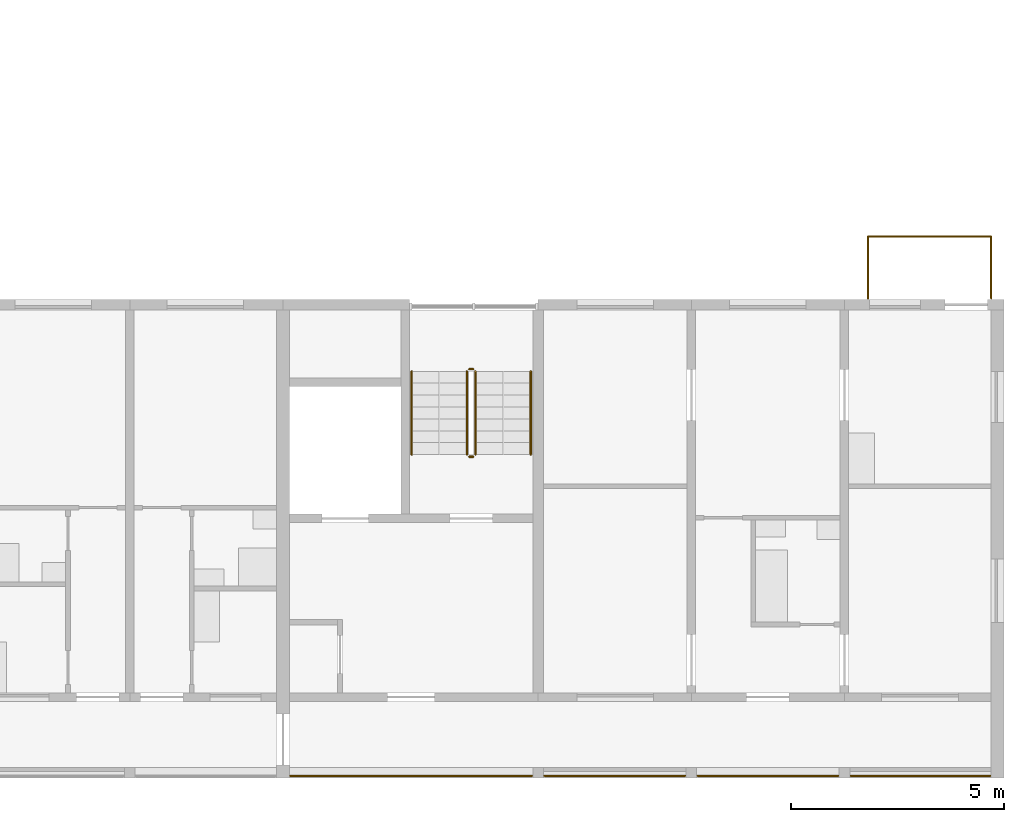
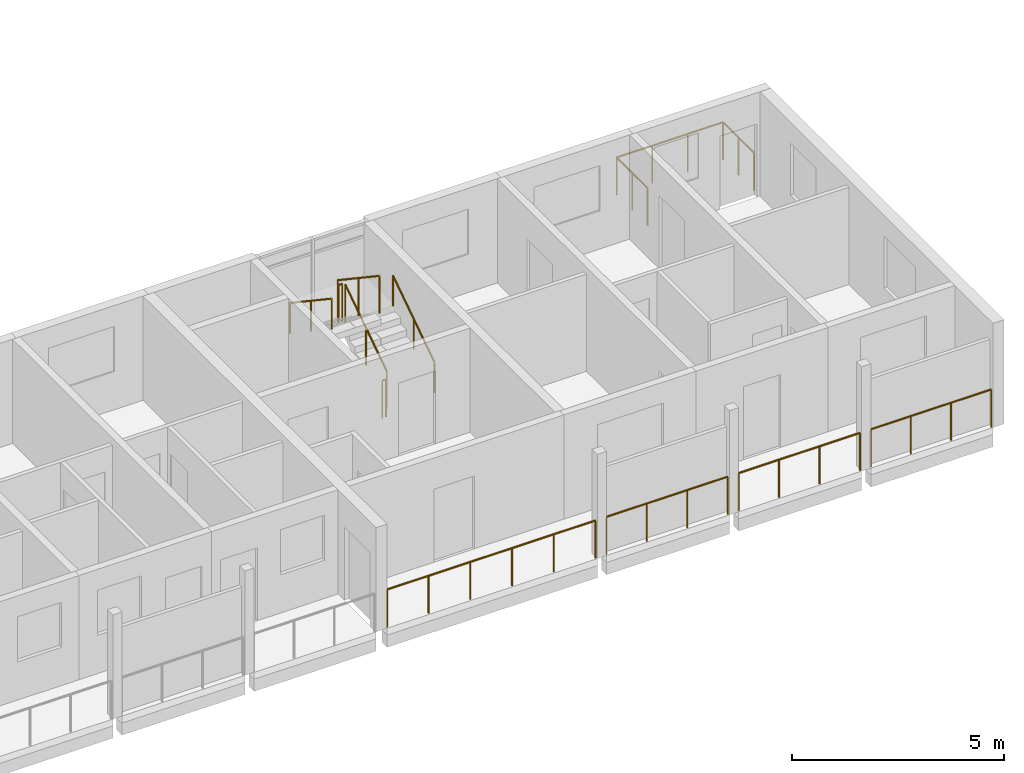
# One storey, part 88 of 94: 11 railings.
"""IFC4 building model written with IfcOpenShell, lengths in metres."""

from ifc_helpers import new_model, si_unit, direction, frame, origin, origin_2d, place, context, subcontext, project, spatial, circle, extrude, material, type_object, element, save


model = new_model("IFC4")

# Units and contexts
model_context = context("Model", 3, precision=1e-05, world=origin(), true_north=direction((0.0, 1.0)))
body_context = subcontext(model_context, "Body", "Model", "MODEL_VIEW")
ifc_project = project(units=[si_unit("LENGTHUNIT", "METRE"), si_unit("AREAUNIT", "SQUARE_METRE"), si_unit("VOLUMEUNIT", "CUBIC_METRE"), si_unit("PLANEANGLEUNIT", "RADIAN"), si_unit("MASSUNIT", "GRAM", prefix="KILO")], contexts=[model_context])

# Site, building, storey
site_placement = place(None, origin())
site = spatial("IfcSite", under=ifc_project, at=site_placement, CompositionType="ELEMENT")
building_placement = place(site_placement, origin())
building = spatial("IfcBuilding", under=site, at=building_placement, Name="Ridgestep Commons", CompositionType="ELEMENT")
storey_placement = place(building_placement, frame((0.0, 0.0, 21.0)))
storey = spatial("IfcBuildingStorey", under=building, at=storey_placement, Name="L07", CompositionType="ELEMENT", Elevation=21.0)

# Railings
ifc_material_1 = material(Name="Structural steel S355JR", Category="steel")
railing_type_1 = type_object("IfcRailingType", Name="Guard 1100", PredefinedType="GUARDRAIL", material=ifc_material_1)
railing_1_placement = place(storey_placement, frame((230.970947265625, 11.800048828125, 0.0)))
element("IfcRailing", 1, at=railing_1_placement, inside=storey, type_object=railing_type_1, Name="Gallery guard D 07.21", PredefinedType="GUARDRAIL", context=body_context, shape_type="SweptSolid", body=[
    extrude(circle(Radius=0.02392578125, at=origin_2d()), frame((0.0, 0.0, 1.076171875), z_axis=(1.0, 0.0, 0.0), x_axis=(0.0, 1.0, 0.0)), (0.0, 0.0, 1.0), 5.68310546875),
    extrude(circle(Radius=0.02099609375, at=origin_2d()), origin(), (0.0, 0.0, 1.0), 1.052001953125),
    extrude(circle(Radius=0.02099609375, at=origin_2d()), frame((1.13671875, 0.0, 0.0)), (0.0, 0.0, 1.0), 1.052001953125),
    extrude(circle(Radius=0.02099609375, at=origin_2d()), frame((2.273193359375, 0.0, 0.0)), (0.0, 0.0, 1.0), 1.052001953125),
    extrude(circle(Radius=0.02099609375, at=origin_2d()), frame((3.409912109375, 0.0, 0.0)), (0.0, 0.0, 1.0), 1.052001953125),
    extrude(circle(Radius=0.02099609375, at=origin_2d()), frame((4.54638671875, 0.0, 0.0)), (0.0, 0.0, 1.0), 1.052001953125),
    extrude(circle(Radius=0.02099609375, at=origin_2d()), frame((5.68310546875, 0.0, 0.0)), (0.0, 0.0, 1.0), 1.052001953125),
])
railing_2_placement = place(storey_placement, frame((236.946044921875, 11.800048828125, 0.0)))
element("IfcRailing", 2, at=railing_2_placement, inside=storey, type_object=railing_type_1, Name="Gallery guard D 07.22", PredefinedType="GUARDRAIL", context=body_context, shape_type="SweptSolid", body=[
    extrude(circle(Radius=0.02392578125, at=origin_2d()), frame((0.0, 0.0, 1.076171875), z_axis=(1.0, 0.0, 0.0), x_axis=(0.0, 1.0, 0.0)), (0.0, 0.0, 1.0), 3.307861328125),
    extrude(circle(Radius=0.02099609375, at=origin_2d()), origin(), (0.0, 0.0, 1.0), 1.052001953125),
    extrude(circle(Radius=0.02099609375, at=origin_2d()), frame((1.1025390625, 0.0, 0.0)), (0.0, 0.0, 1.0), 1.052001953125),
    extrude(circle(Radius=0.02099609375, at=origin_2d()), frame((2.205322265625, 0.0, 0.0)), (0.0, 0.0, 1.0), 1.052001953125),
    extrude(circle(Radius=0.02099609375, at=origin_2d()), frame((3.307861328125, 0.0, 0.0)), (0.0, 0.0, 1.0), 1.052001953125),
])
railing_3_placement = place(storey_placement, frame((240.5458984375, 11.800048828125, 0.0)))
element("IfcRailing", 3, at=railing_3_placement, inside=storey, type_object=railing_type_1, Name="Gallery guard D 07.23", PredefinedType="GUARDRAIL", context=body_context, shape_type="SweptSolid", body=[
    extrude(circle(Radius=0.02392578125, at=origin_2d()), frame((0.0, 0.0, 1.076171875), z_axis=(1.0, 0.0, 0.0), x_axis=(0.0, 1.0, 0.0)), (0.0, 0.0, 1.0), 3.30810546875),
    extrude(circle(Radius=0.02099609375, at=origin_2d()), origin(), (0.0, 0.0, 1.0), 1.052001953125),
    extrude(circle(Radius=0.02099609375, at=origin_2d()), frame((1.102783203125, 0.0, 0.0)), (0.0, 0.0, 1.0), 1.052001953125),
    extrude(circle(Radius=0.02099609375, at=origin_2d()), frame((2.205322265625, 0.0, 0.0)), (0.0, 0.0, 1.0), 1.052001953125),
    extrude(circle(Radius=0.02099609375, at=origin_2d()), frame((3.30810546875, 0.0, 0.0)), (0.0, 0.0, 1.0), 1.052001953125),
])
railing_4_placement = place(storey_placement, frame((244.14599609375, 11.800048828125, 0.0)))
element("IfcRailing", 4, at=railing_4_placement, inside=storey, type_object=railing_type_1, Name="Gallery guard D 07.24", PredefinedType="GUARDRAIL", context=body_context, shape_type="SweptSolid", body=[
    extrude(circle(Radius=0.02392578125, at=origin_2d()), frame((0.0, 0.0, 1.076171875), z_axis=(1.0, 0.0, 0.0), x_axis=(0.0, 1.0, 0.0)), (0.0, 0.0, 1.0), 3.282958984375),
    extrude(circle(Radius=0.02099609375, at=origin_2d()), origin(), (0.0, 0.0, 1.0), 1.052001953125),
    extrude(circle(Radius=0.02099609375, at=origin_2d()), frame((1.09423828125, 0.0, 0.0)), (0.0, 0.0, 1.0), 1.052001953125),
    extrude(circle(Radius=0.02099609375, at=origin_2d()), frame((2.188720703125, 0.0, 0.0)), (0.0, 0.0, 1.0), 1.052001953125),
    extrude(circle(Radius=0.02099609375, at=origin_2d()), frame((3.282958984375, 0.0, 0.0)), (0.0, 0.0, 1.0), 1.052001953125),
])
ifc_material_2 = material(Name="Structural steel S355JR", Category="steel")
railing_type_2 = type_object("IfcRailingType", Name="Stair guard 1100", PredefinedType="GUARDRAIL", material=ifc_material_2)
railing_5_placement = place(storey_placement, frame((235.324951171875, 19.35009765625, 0.1875)))
element("IfcRailing", 5, at=railing_5_placement, inside=storey, type_object=railing_type_2, Name="L07 D6C stair guard 1", PredefinedType="GUARDRAIL", context=body_context, shape_type="SweptSolid", body=[
    extrude(circle(Radius=0.02392578125, at=origin_2d()), frame((0.0, 0.0, 1.076171875), z_axis=(0.0, 0.830902050051, 0.556418712142), x_axis=(-1.0, 0.0, 0.0)), (0.0, 0.0, 1.0), 2.35888671875),
    extrude(circle(Radius=0.02099609375, at=origin_2d()), origin(), (0.0, 0.0, 1.0), 1.052001953125),
    extrude(circle(Radius=0.02099609375, at=origin_2d()), frame((0.0, 0.97998046875, 0.65625)), (0.0, 0.0, 1.0), 1.052001953125),
    extrude(circle(Radius=0.02099609375, at=origin_2d()), frame((0.0, 1.9599609375, 1.3125)), (0.0, 0.0, 1.0), 1.052001953125),
])
railing_6_placement = place(storey_placement, frame((235.27490234375, 21.360107421875, 1.5)))
element("IfcRailing", 6, at=railing_6_placement, inside=storey, type_object=railing_type_2, Name="L07 D6C stair guard 2", PredefinedType="GUARDRAIL", context=body_context, shape_type="SweptSolid", body=[
    extrude(circle(Radius=0.02392578125, at=origin_2d()), frame((0.0, 0.0, 1.076171875), z_axis=(-1.0, 0.0, 0.0), x_axis=(0.0, -1.0, 0.0)), (0.0, 0.0, 1.0), 0.099853515625),
    extrude(circle(Radius=0.02099609375, at=origin_2d()), origin(), (0.0, 0.0, 1.0), 1.052001953125),
    extrude(circle(Radius=0.02099609375, at=origin_2d()), frame((-0.099853515625, 0.0, 0.0)), (0.0, 0.0, 1.0), 1.052001953125),
])
railing_7_placement = place(storey_placement, frame((235.125, 21.31005859375, 1.6875)))
element("IfcRailing", 7, at=railing_7_placement, inside=storey, type_object=railing_type_2, Name="L07 D6C stair guard 3", PredefinedType="GUARDRAIL", context=body_context, shape_type="SweptSolid", body=[
    extrude(circle(Radius=0.02392578125, at=origin_2d()), frame((0.0, 0.0, 1.076171875), z_axis=(0.0, -0.830902050051, 0.556418712142), x_axis=(1.0, 0.0, 0.0)), (0.0, 0.0, 1.0), 2.35888671875),
    extrude(circle(Radius=0.02099609375, at=origin_2d()), origin(), (0.0, 0.0, 1.0), 1.052001953125),
    extrude(circle(Radius=0.02099609375, at=origin_2d()), frame((0.0, -0.97998046875, 0.65625)), (0.0, 0.0, 1.0), 1.052001953125),
    extrude(circle(Radius=0.02099609375, at=origin_2d()), frame((0.0, -1.9599609375, 1.3125)), (0.0, 0.0, 1.0), 1.052001953125),
])
railing_8_placement = place(storey_placement, frame((235.27490234375, 19.300048828125, 0.0)))
element("IfcRailing", 8, at=railing_8_placement, inside=storey, type_object=railing_type_2, Name="L07 D6C stair guard 4", PredefinedType="GUARDRAIL", context=body_context, shape_type="SweptSolid", body=[
    extrude(circle(Radius=0.02392578125, at=origin_2d()), frame((0.0, 0.0, 1.076171875), z_axis=(-1.0, 0.0, 0.0), x_axis=(0.0, -1.0, 0.0)), (0.0, 0.0, 1.0), 0.099853515625),
    extrude(circle(Radius=0.02099609375, at=origin_2d()), origin(), (0.0, 0.0, 1.0), 1.052001953125),
    extrude(circle(Radius=0.02099609375, at=origin_2d()), frame((-0.099853515625, 0.0, 0.0)), (0.0, 0.0, 1.0), 1.052001953125),
])
ifc_material_3 = material(Name="Structural steel S355JR", Category="steel")
railing_type_3 = type_object("IfcRailingType", Name="Stair handrail 900", PredefinedType="HANDRAIL", material=ifc_material_3)
railing_9_placement = place(storey_placement, frame((236.625, 19.35009765625, 0.1875)))
element("IfcRailing", 9, at=railing_9_placement, inside=storey, type_object=railing_type_3, Name="L07 D6C stair handrail 1", PredefinedType="HANDRAIL", context=body_context, shape_type="SweptSolid", body=[
    extrude(circle(Radius=0.02392578125, at=origin_2d()), frame((0.0, 0.0, 0.8759765625), z_axis=(0.0, 0.830902050051, 0.556418712142), x_axis=(-1.0, 0.0, 0.0)), (0.0, 0.0, 1.0), 2.35888671875),
    extrude(circle(Radius=0.02099609375, at=origin_2d()), origin(), (0.0, 0.0, 1.0), 0.851806640625),
    extrude(circle(Radius=0.02099609375, at=origin_2d()), frame((0.0, 0.97998046875, 0.65625)), (0.0, 0.0, 1.0), 0.851806640625),
    extrude(circle(Radius=0.02099609375, at=origin_2d()), frame((0.0, 1.9599609375, 1.3125)), (0.0, 0.0, 1.0), 0.851806640625),
])
railing_10_placement = place(storey_placement, frame((233.824951171875, 21.31005859375, 1.6875)))
element("IfcRailing", 10, at=railing_10_placement, inside=storey, type_object=railing_type_3, Name="L07 D6C stair handrail 2", PredefinedType="HANDRAIL", context=body_context, shape_type="SweptSolid", body=[
    extrude(circle(Radius=0.02392578125, at=origin_2d()), frame((0.0, 0.0, 0.8759765625), z_axis=(0.0, -0.830902050051, 0.556418712142), x_axis=(1.0, 0.0, 0.0)), (0.0, 0.0, 1.0), 2.35888671875),
    extrude(circle(Radius=0.02099609375, at=origin_2d()), origin(), (0.0, 0.0, 1.0), 0.851806640625),
    extrude(circle(Radius=0.02099609375, at=origin_2d()), frame((0.0, -0.97998046875, 0.65625)), (0.0, 0.0, 1.0), 0.851806640625),
    extrude(circle(Radius=0.02099609375, at=origin_2d()), frame((0.0, -1.9599609375, 1.3125)), (0.0, 0.0, 1.0), 0.851806640625),
])
ifc_material_4 = material(Name="Weathering steel S355J2W", Category="steel")
railing_type_4 = type_object("IfcRailingType", Name="Tray guard 1100", PredefinedType="GUARDRAIL", material=ifc_material_4)
railing_11_placement = place(storey_placement, frame((244.551025390625, 23.02099609375, 0.0)))
element("IfcRailing", 11, at=railing_11_placement, inside=storey, type_object=railing_type_4, Name="Tray guard D6T1-07", PredefinedType="GUARDRAIL", context=body_context, shape_type="SweptSolid", body=[
    extrude(circle(Radius=0.02392578125, at=origin_2d()), frame((0.0, 0.0, 1.076171875), z_axis=(0.0, 1.0, 0.0), x_axis=(-1.0, 0.0, 0.0)), (0.0, 0.0, 1.0), 1.4580078125),
    extrude(circle(Radius=0.02392578125, at=origin_2d()), frame((0.0, 1.4580078125, 1.076171875), z_axis=(1.0, 0.0, 0.0), x_axis=(0.0, 1.0, 0.0)), (0.0, 0.0, 1.0), 2.89794921875),
    extrude(circle(Radius=0.02392578125, at=origin_2d()), frame((2.89794921875, 1.4580078125, 1.076171875), z_axis=(0.0, -1.0, 0.0), x_axis=(1.0, 0.0, 0.0)), (0.0, 0.0, 1.0), 1.4580078125),
    extrude(circle(Radius=0.02099609375, at=origin_2d()), origin(), (0.0, 0.0, 1.0), 1.052001953125),
    extrude(circle(Radius=0.02099609375, at=origin_2d()), frame((0.0, 0.72900390625, 0.0)), (0.0, 0.0, 1.0), 1.052001953125),
    extrude(circle(Radius=0.02099609375, at=origin_2d()), frame((0.0, 1.4580078125, 0.0)), (0.0, 0.0, 1.0), 1.052001953125),
    extrude(circle(Radius=0.02099609375, at=origin_2d()), frame((0.966064453125, 1.4580078125, 0.0)), (0.0, 0.0, 1.0), 1.052001953125),
    extrude(circle(Radius=0.02099609375, at=origin_2d()), frame((1.931884765625, 1.4580078125, 0.0)), (0.0, 0.0, 1.0), 1.052001953125),
    extrude(circle(Radius=0.02099609375, at=origin_2d()), frame((2.89794921875, 1.4580078125, 0.0)), (0.0, 0.0, 1.0), 1.052001953125),
    extrude(circle(Radius=0.02099609375, at=origin_2d()), frame((2.89794921875, 0.72900390625, 0.0)), (0.0, 0.0, 1.0), 1.052001953125),
    extrude(circle(Radius=0.02099609375, at=origin_2d()), frame((2.89794921875, 0.0, 0.0)), (0.0, 0.0, 1.0), 1.052001953125),
])

save(model, "model.ifc")
